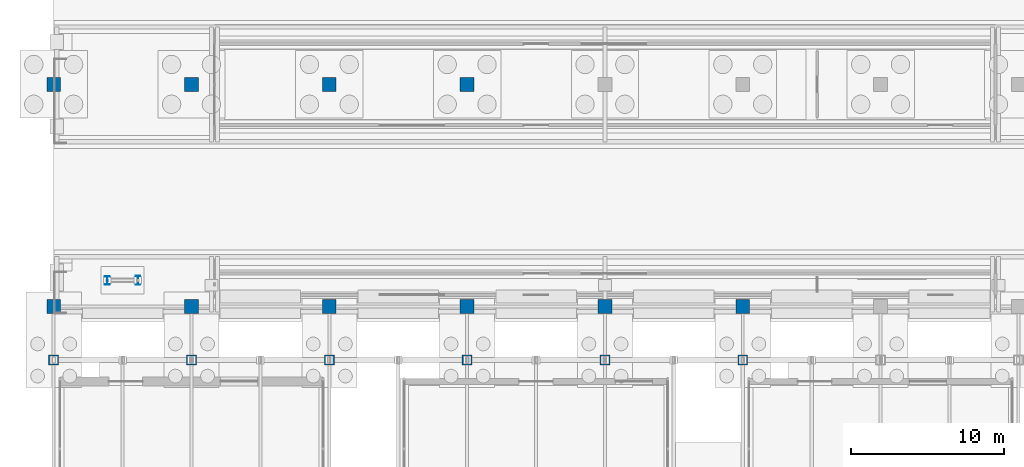
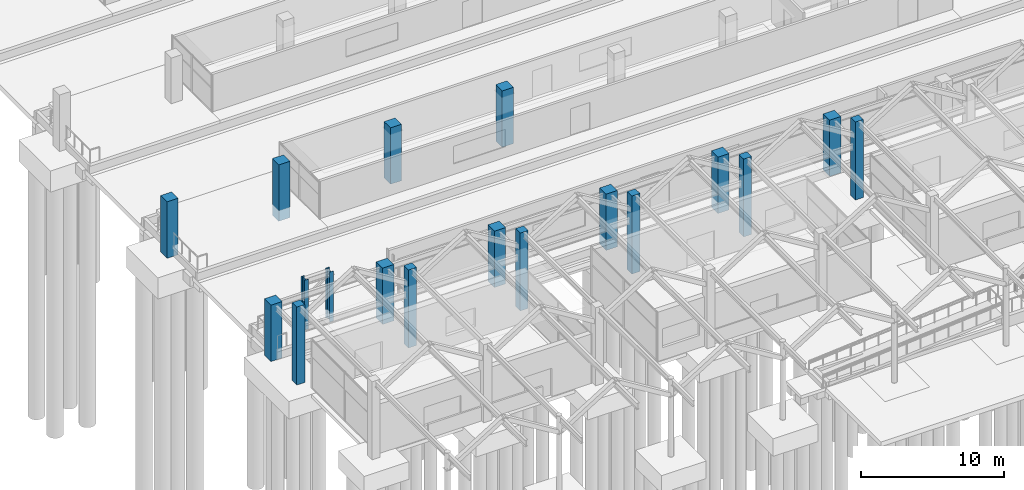
# One storey, part 12 of 160: 18 columns.
"""IFC4 building model written with IfcOpenShell, lengths in metres."""

from ifc_helpers import new_model, si_unit, direction, frame, origin, origin_2d, place, context, subcontext, project, spatial, rectangle, i_section, extrude, material, material_profile, profile_set, type_object, element, save


model = new_model("IFC4")

# Units and contexts
model_context = context("Model", 3, precision=1e-05, world=origin(), true_north=direction((0.0, 1.0)))
body_context = subcontext(model_context, "Body", "Model", "MODEL_VIEW")
ifc_project = project(units=[si_unit("LENGTHUNIT", "METRE"), si_unit("AREAUNIT", "SQUARE_METRE"), si_unit("VOLUMEUNIT", "CUBIC_METRE"), si_unit("PLANEANGLEUNIT", "RADIAN"), si_unit("MASSUNIT", "GRAM", prefix="KILO")], contexts=[model_context])

# Site, building, storey
site_placement = place(None, origin())
site = spatial("IfcSite", under=ifc_project, at=site_placement, CompositionType="ELEMENT")
building_placement = place(site_placement, origin())
building = spatial("IfcBuilding", under=site, at=building_placement, Name="Marlcrest Central Station", CompositionType="ELEMENT")
storey_placement = place(building_placement, origin())
storey = spatial("IfcBuildingStorey", under=building, at=storey_placement, Name="L00", CompositionType="ELEMENT", Elevation=0.0)

# Columns
ifc_material_1 = material(Name="Concrete C50/60", Category="concrete")
ifc_material_profile_1 = material_profile(ifc_material_1, rectangle(XDim=0.64990234375, YDim=0.64990234375, at=origin_2d()), Name="RC 650x650")
ifc_profile_set_1 = profile_set([ifc_material_profile_1], Name="Concrete C50/60")
column_type_1 = type_object("IfcColumnType", Name="RC-05", PredefinedType="COLUMN", material=ifc_profile_set_1)
for number, where, z_axis, x_axis, name in (
    (1, (0.0, 33.0, 0.0), (0.0, 0.0, 1.0), (1.0, 0.0, 0.0), "col-RC-05-L00-0363"),
    (2, (9.0, 33.0, 0.0), (0.0, 0.0, 1.0), (1.0, 0.0, 0.0), "col-RC-05-L00-0366"),
    (3, (18.0, 33.0, 0.0), (0.0, 0.0, 1.0), (1.0, 0.0, 0.0), "col-RC-05-L00-0369"),
    (4, (27.0, 33.0, 0.0), (0.0, 0.0, 1.0), (1.0, 0.0, 0.0), "col-RC-05-L00-0372"),
    (5, (36.0, 33.0, 0.0), (0.0, 0.0, 1.0), (1.0, 0.0, 0.0), "col-RC-05-L00-0375"),
    (6, (45.0, 33.0, 0.0), (0.0, 0.0, 1.0), (1.0, 0.0, 0.0), "col-RC-05-L00-0378"),
):
    element("IfcColumn", number, at=place(storey_placement, frame(where, z_axis=z_axis, x_axis=x_axis)), inside=storey, type_object=column_type_1, Name=name, PredefinedType="COLUMN", context=body_context, shape_type="SweptSolid", body=[
        extrude(rectangle(XDim=0.64990234375, YDim=0.64990234375, at=origin_2d()), origin(), (0.0, 0.0, 1.0), 6.639892578125),
    ])
ifc_material_profile_2 = material_profile(ifc_material_1, rectangle(XDim=0.89990234375, YDim=0.89990234375, at=origin_2d()), Name="RC 900x900")
ifc_profile_set_2 = profile_set([ifc_material_profile_2], Name="Concrete C50/60")
column_type_2 = type_object("IfcColumnType", Name="RC-08", PredefinedType="COLUMN", material=ifc_profile_set_2)
for number, where, z_axis, x_axis, name in (
    (7, (0.0, 36.5, 0.0), (0.0, 0.0, 1.0), (1.0, 0.0, 0.0), "col-RC-08-L00-0412"),
    (8, (0.0, 51.0, 0.0), (0.0, 0.0, 1.0), (1.0, 0.0, 0.0), "col-RC-08-L00-0414"),
    (9, (9.0, 36.5, 0.0), (0.0, 0.0, 1.0), (1.0, 0.0, 0.0), "col-RC-08-L00-0422"),
    (10, (9.0, 51.0, 0.0), (0.0, 0.0, 1.0), (1.0, 0.0, 0.0), "col-RC-08-L00-0424"),
    (11, (18.0, 36.5, 0.0), (0.0, 0.0, 1.0), (1.0, 0.0, 0.0), "col-RC-08-L00-0432"),
    (12, (18.0, 51.0, 0.0), (0.0, 0.0, 1.0), (1.0, 0.0, 0.0), "col-RC-08-L00-0434"),
    (13, (27.0, 36.5, 0.0), (0.0, 0.0, 1.0), (1.0, 0.0, 0.0), "col-RC-08-L00-0442"),
    (14, (27.0, 51.0, 0.0), (0.0, 0.0, 1.0), (1.0, 0.0, 0.0), "col-RC-08-L00-0444"),
    (15, (36.0, 36.5, 0.0), (0.0, 0.0, 1.0), (1.0, 0.0, 0.0), "col-RC-08-L00-0452"),
    (16, (45.0, 36.5, 0.0), (0.0, 0.0, 1.0), (1.0, 0.0, 0.0), "col-RC-08-L00-0462"),
):
    element("IfcColumn", number, at=place(storey_placement, frame(where, z_axis=z_axis, x_axis=x_axis)), inside=storey, type_object=column_type_2, Name=name, PredefinedType="COLUMN", context=body_context, shape_type="SweptSolid", body=[
        extrude(rectangle(XDim=0.89990234375, YDim=0.89990234375, at=origin_2d()), origin(), (0.0, 0.0, 1.0), 4.800048828125),
    ])
ifc_material_2 = material(Name="Steel S355", Category="steel")
ifc_material_profile_3 = material_profile(ifc_material_2, i_section(OverallWidth=0.300048828125, OverallDepth=0.5400390625, WebThickness=0.012451171875, FlangeThickness=0.02392578125, FilletRadius=0.027099609375, at=origin_2d()), Name="HEA 550")
ifc_profile_set_3 = profile_set([ifc_material_profile_3], Name="Steel S355")
column_type_3 = type_object("IfcColumnType", Name="SC-13", PredefinedType="COLUMN", material=ifc_profile_set_3)
column_1_placement = place(storey_placement, frame((3.5, 38.199951171875, 0.199951171875), z_axis=(0.0, 0.0, 1.0), x_axis=(1.0, 0.0, 0.0)))
element("IfcColumn", 17, at=column_1_placement, inside=storey, type_object=column_type_3, Name="col-SC-13-L00-0909", PredefinedType="COLUMN", context=body_context, shape_type="SweptSolid", body=[
    extrude(i_section(OverallWidth=0.300048828125, OverallDepth=0.5400390625, WebThickness=0.012451171875, FlangeThickness=0.02392578125, FilletRadius=0.027099609375, at=origin_2d()), origin(), (0.0, 0.0, 1.0), 4.25),
])
ifc_material_profile_4 = material_profile(ifc_material_2, i_section(OverallWidth=0.300048828125, OverallDepth=0.590087890625, WebThickness=0.012939453125, FlangeThickness=0.02490234375, FilletRadius=0.027099609375, at=origin_2d()), Name="HEA 600")
ifc_profile_set_4 = profile_set([ifc_material_profile_4], Name="Steel S355")
column_type_4 = type_object("IfcColumnType", Name="SC-14", PredefinedType="COLUMN", material=ifc_profile_set_4)
column_2_placement = place(storey_placement, frame((5.5, 38.199951171875, 0.199951171875), z_axis=(0.0, 0.0, 1.0), x_axis=(1.0, 0.0, 0.0)))
element("IfcColumn", 18, at=column_2_placement, inside=storey, type_object=column_type_4, Name="col-SC-14-L00-0910", PredefinedType="COLUMN", context=body_context, shape_type="SweptSolid", body=[
    extrude(i_section(OverallWidth=0.300048828125, OverallDepth=0.590087890625, WebThickness=0.012939453125, FlangeThickness=0.02490234375, FilletRadius=0.027099609375, at=origin_2d()), origin(), (0.0, 0.0, 1.0), 4.25),
])

save(model, "model.ifc")
